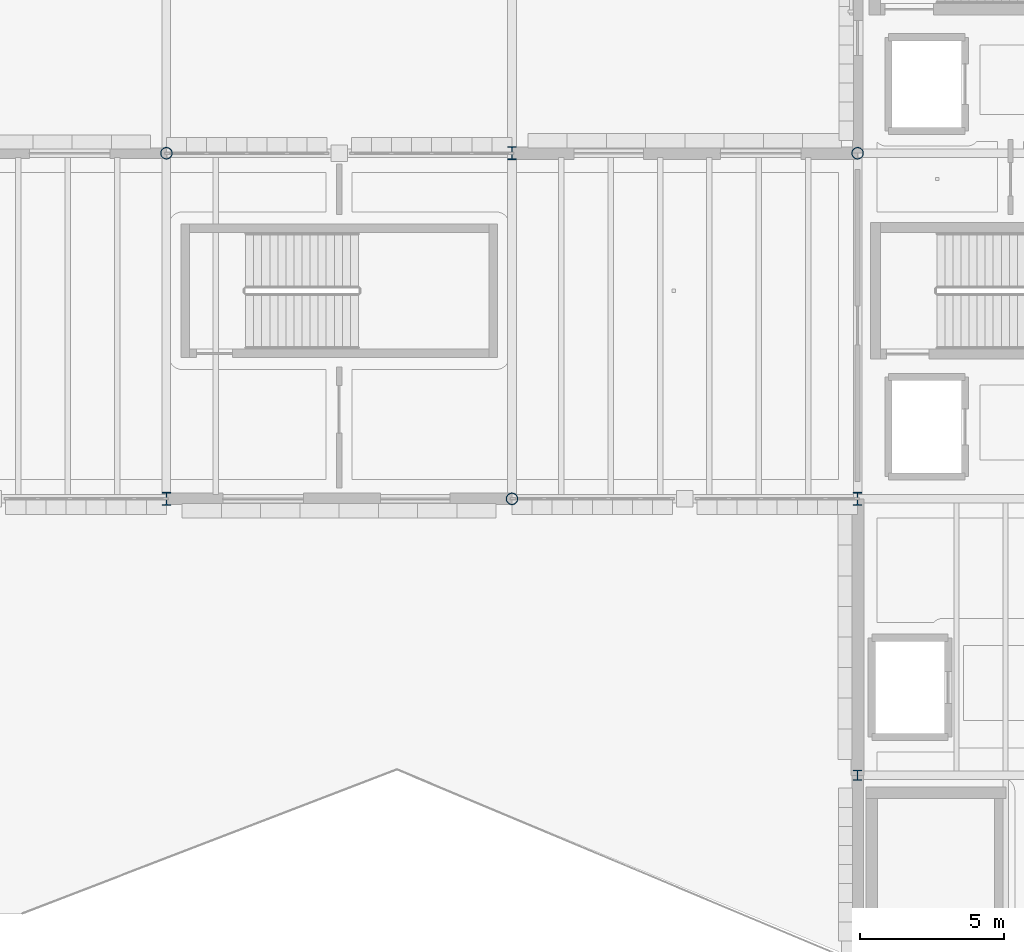
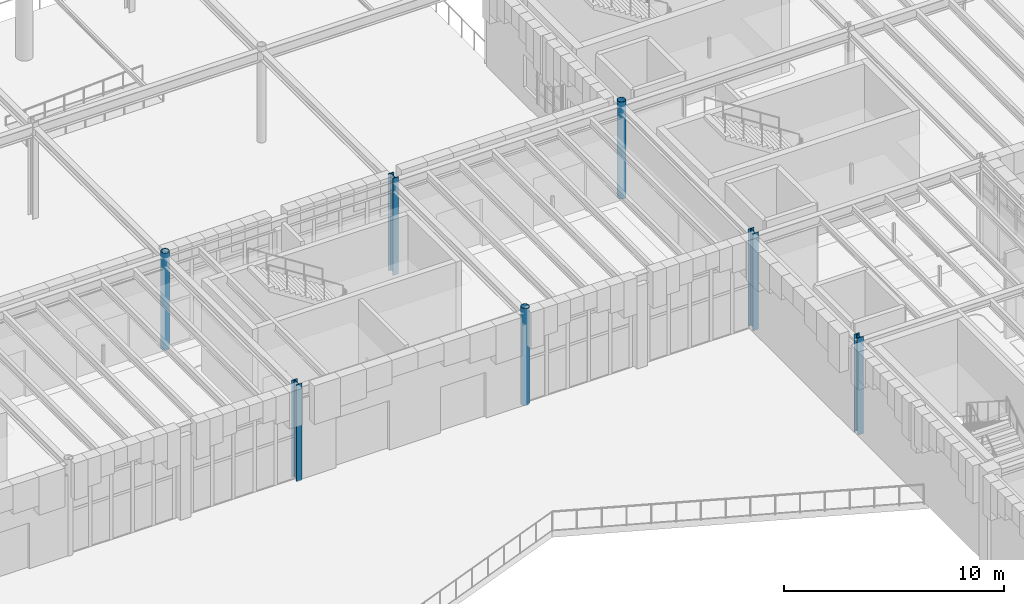
# One storey, part 9 of 103: 7 columns.
"""IFC4 building model written with IfcOpenShell, lengths in metres."""

from ifc_helpers import new_model, si_unit, direction, frame, origin, origin_2d, place, context, subcontext, project, spatial, hollow_circle, i_section, extrude, material, material_profile, profile_set, type_object, element, save


model = new_model("IFC4")

# Units and contexts
model_context = context("Model", 3, precision=1e-05, world=origin(), true_north=direction((0.0, 1.0)))
body_context = subcontext(model_context, "Body", "Model", "MODEL_VIEW")
ifc_project = project(units=[si_unit("LENGTHUNIT", "METRE"), si_unit("AREAUNIT", "SQUARE_METRE"), si_unit("VOLUMEUNIT", "CUBIC_METRE"), si_unit("PLANEANGLEUNIT", "RADIAN"), si_unit("MASSUNIT", "GRAM", prefix="KILO")], contexts=[model_context])

# Site, building, storey
site_placement = place(None, origin())
site = spatial("IfcSite", under=ifc_project, at=site_placement, CompositionType="ELEMENT")
building_placement = place(site_placement, origin())
building = spatial("IfcBuilding", under=site, at=building_placement, Name="Zlatogorsky Bluff Art Gallery", CompositionType="ELEMENT")
storey_placement = place(building_placement, origin())
storey = spatial("IfcBuildingStorey", under=building, at=storey_placement, Name="L00", CompositionType="ELEMENT", Elevation=0.0)

# Columns
ifc_material = material(Name="Steel S355", Category="steel")
ifc_material_profile_1 = material_profile(ifc_material, i_section(OverallWidth=0.300048828125, OverallDepth=0.449951171875, WebThickness=0.013916015625, FlangeThickness=0.02587890625, FilletRadius=0.027099609375, at=origin_2d()), Name="HEB 450")
ifc_profile_set_1 = profile_set([ifc_material_profile_1], Name="Steel S355")
column_type_1 = type_object("IfcColumnType", Name="Column CL-03 HEB 450", PredefinedType="COLUMN", material=ifc_profile_set_1)
for number, where, z_axis, x_axis, name in (
    (1, (96.0, 84.0, 0.0), (0.0, 0.0, 1.0), (1.0, 0.0, 0.0), "Column CL-03 L00 J9"),
    (2, (108.0, 96.0, 0.0), (0.0, 0.0, 1.0), (1.0, 0.0, 0.0), "Column CL-03 L00 K10"),
    (3, (120.0, 84.0, 0.0), (0.0, 0.0, 1.0), (1.0, 0.0, 0.0), "Column CL-03 L00 L9"),
):
    element("IfcColumn", number, at=place(storey_placement, frame(where, z_axis=z_axis, x_axis=x_axis)), inside=storey, type_object=column_type_1, Name=name, PredefinedType="COLUMN", context=body_context, shape_type="SweptSolid", body=[
        extrude(i_section(OverallWidth=0.300048828125, OverallDepth=0.449951171875, WebThickness=0.013916015625, FlangeThickness=0.02587890625, FilletRadius=0.027099609375, at=origin_2d()), origin(), (0.0, 0.0, 1.0), 5.39990234375),
    ])
ifc_material_profile_2 = material_profile(ifc_material, i_section(OverallWidth=0.300048828125, OverallDepth=0.360107421875, WebThickness=0.012451171875, FlangeThickness=0.0224609375, FilletRadius=0.027099609375, at=origin_2d()), Name="HEB 360")
ifc_profile_set_2 = profile_set([ifc_material_profile_2], Name="Steel S355")
column_type_2 = type_object("IfcColumnType", Name="Column CL-05 HEB 360", PredefinedType="COLUMN", material=ifc_profile_set_2)
column_placement = place(storey_placement, frame((120.0, 74.39990234375, 0.0), z_axis=(0.0, 0.0, 1.0), x_axis=(1.0, 0.0, 0.0)))
element("IfcColumn", 4, at=column_placement, inside=storey, type_object=column_type_2, Name="Column CL-05 L00 L8", PredefinedType="COLUMN", context=body_context, shape_type="SweptSolid", body=[
    extrude(i_section(OverallWidth=0.300048828125, OverallDepth=0.360107421875, WebThickness=0.012451171875, FlangeThickness=0.0224609375, FilletRadius=0.027099609375, at=origin_2d()), origin(), (0.0, 0.0, 1.0), 5.39990234375),
])
ifc_material_profile_3 = material_profile(ifc_material, hollow_circle(Radius=0.203125, WallThickness=0.01611328125, at=origin_2d()), Name="CHS 406.4x16")
ifc_profile_set_3 = profile_set([ifc_material_profile_3], Name="Steel S355")
column_type_3 = type_object("IfcColumnType", Name="Column CL-09 CHS 406.4x16", PredefinedType="COLUMN", material=ifc_profile_set_3)
for number, where, z_axis, x_axis, name in (
    (5, (96.0, 96.0, 0.0), (0.0, 0.0, 1.0), (1.0, 0.0, 0.0), "Column CL-09 L00 J10"),
    (6, (108.0, 84.0, 0.0), (0.0, 0.0, 1.0), (1.0, 0.0, 0.0), "Column CL-09 L00 K9"),
    (7, (120.0, 96.0, 0.0), (0.0, 0.0, 1.0), (1.0, 0.0, 0.0), "Column CL-09 L00 L10"),
):
    element("IfcColumn", number, at=place(storey_placement, frame(where, z_axis=z_axis, x_axis=x_axis)), inside=storey, type_object=column_type_3, Name=name, PredefinedType="COLUMN", context=body_context, shape_type="SweptSolid", body=[
        extrude(hollow_circle(Radius=0.203125, WallThickness=0.01611328125, at=origin_2d()), origin(), (0.0, 0.0, 1.0), 5.39990234375),
    ])

save(model, "model.ifc")
